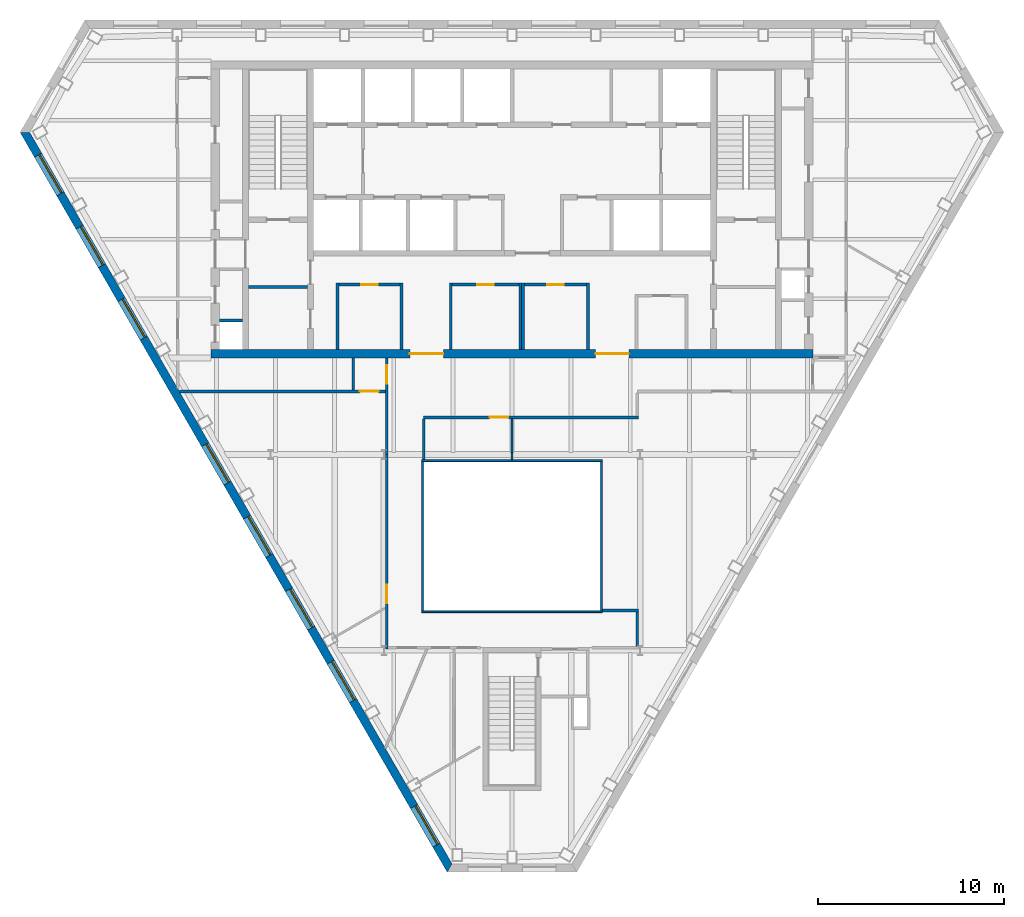
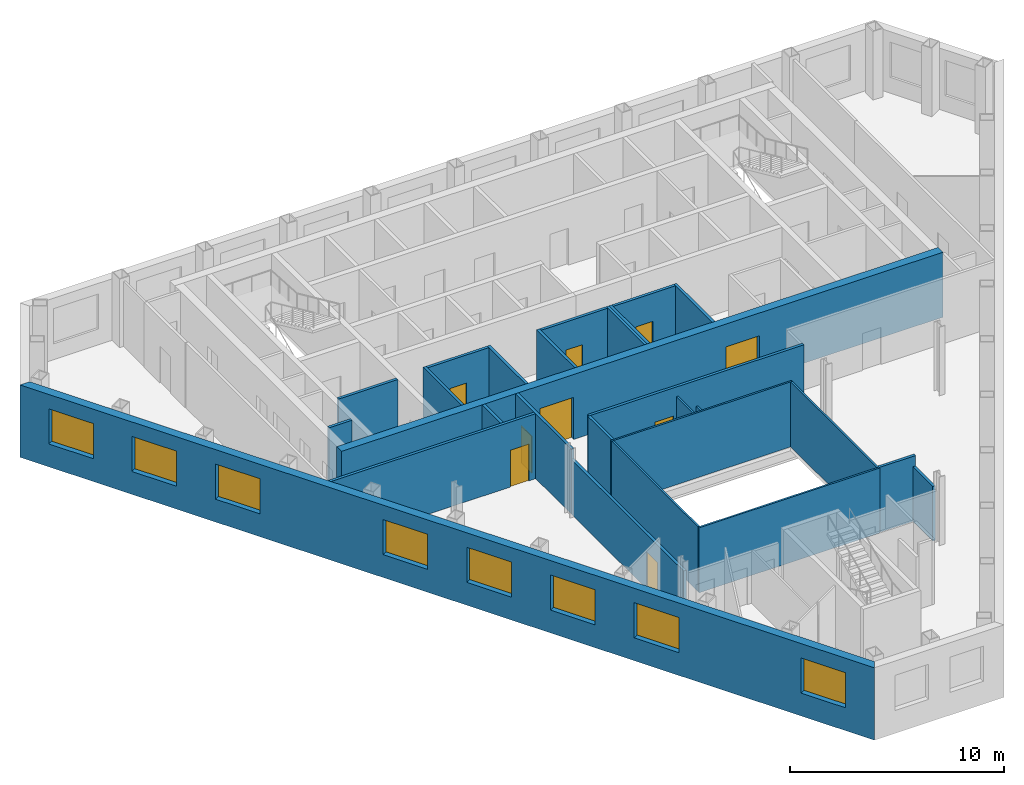
# One storey, part 4 of 11: 27 walls, 9 doors, 8 windows, 17 openings.
"""IFC4 building model written with IfcOpenShell, lengths in metres."""

from ifc_helpers import new_model, si_unit, direction, frame, frame_2d, origin, place, context, subcontext, project, spatial, polyline, rectangle, outline, extrude, material, layer, layer_set, type_object, element, fill, save


model = new_model("IFC4")

# Units and contexts
model_context = context("Model", 3, precision=1e-05, world=origin(), true_north=direction((0.0, 1.0)))
body_context = subcontext(model_context, "Body", "Model", "MODEL_VIEW")
ifc_project = project(units=[si_unit("LENGTHUNIT", "METRE"), si_unit("AREAUNIT", "SQUARE_METRE"), si_unit("VOLUMEUNIT", "CUBIC_METRE"), si_unit("PLANEANGLEUNIT", "RADIAN"), si_unit("MASSUNIT", "GRAM", prefix="KILO")], contexts=[model_context])

# Site, building, storey
site_placement = place(None, origin())
site = spatial("IfcSite", under=ifc_project, at=site_placement, CompositionType="ELEMENT")
building_placement = place(site_placement, origin())
building = spatial("IfcBuilding", under=site, at=building_placement, Name="Njiva Tower", CompositionType="ELEMENT")
storey_placement = place(building_placement, frame((0.0, 0.0, 223.8)))
storey = spatial("IfcBuildingStorey", under=building, at=storey_placement, Name="L50", CompositionType="ELEMENT", Elevation=223.8)

# Walls
ifc_material_1 = material(Name="Blockwork", Category="masonry")
ifc_layer_1 = layer(ifc_material_1, 0.15)
ifc_layer_set_1 = layer_set([ifc_layer_1], Name="Blockwork")
wall_type_1 = type_object("IfcWallType", Name="WT1 Compartment partition 150", PredefinedType="PARTITIONING", material=ifc_layer_set_1)
wall_1_placement = place(storey_placement, frame((-14.2, 5.825, 0.0), z_axis=(0.0, 0.0, 1.0), x_axis=(1.0, 0.0, 0.0)))
element("IfcWall", 1, at=wall_1_placement, inside=storey, type_object=wall_type_1, Name="Room wall A", PredefinedType="PARTITIONING", context=body_context, shape_type="SweptSolid", body=[
    extrude(rectangle(XDim=3.2, YDim=0.15, at=frame_2d((1.6, 0.0))), origin(), (0.0, 0.0, 1.0), 3.7),
])
for number, where, z_axis, x_axis, name in (
    (2, (-9.4, 2.45, 0.0), (0.0, 0.0, 1.0), (0.0, 1.0, 0.0), "Waiting room wall west"),
    (3, (-5.95, 2.45, 0.0), (0.0, 0.0, 1.0), (0.0, 1.0, 0.0), "Waiting room wall east"),
):
    element("IfcWall", number, at=place(storey_placement, frame(where, z_axis=z_axis, x_axis=x_axis)), inside=storey, type_object=wall_type_1, Name=name, PredefinedType="PARTITIONING", context=body_context, shape_type="SweptSolid", body=[
        extrude(rectangle(XDim=3.575, YDim=0.15, at=frame_2d((1.7875, 0.0))), origin(), (0.0, 0.0, 1.0), 3.7),
    ])

# Wall, opening, door
wall_2_placement = place(storey_placement, frame((-9.325, 5.95, 0.0), z_axis=(0.0, 0.0, 1.0), x_axis=(1.0, 0.0, 0.0)))
wall_2 = element("IfcWall", 4, at=wall_2_placement, inside=storey, type_object=wall_type_1, Name="Waiting room wall north", PredefinedType="PARTITIONING", context=body_context, shape_type="SweptSolid", body=[
    extrude(rectangle(XDim=3.3, YDim=0.15, at=frame_2d((1.65, 0.0))), origin(), (0.0, 0.0, 1.0), 3.7),
])
opening_1_placement = place(wall_2_placement, frame((1.2, 0.0, 0.0)))
opening_1 = element("IfcOpeningElement", 5, at=opening_1_placement, cuts=wall_2, Name="Opening S16-D933", PredefinedType="OPENING", context=body_context, shape_type="SweptSolid", body=[
    extrude(rectangle(XDim=0.9, YDim=2.1, at=frame_2d((0.45, 1.05))), frame((0.0, 0.085, 0.0), z_axis=(0.0, -1.0, 0.0), x_axis=(1.0, 0.0, 0.0)), (0.0, 0.0, 1.0), 0.17),
])
ifc_material_2 = material(Name="Steel fire door, painted", Category="steel")
door_type_1 = type_object("IfcDoorType", Name="D6 Fire-rated door 900x2100", OperationType="SINGLE_SWING_LEFT", PredefinedType="DOOR", material=ifc_material_2)
door_1_placement = place(opening_1_placement, origin())
door_1 = element("IfcDoor", 6, at=door_1_placement, inside=storey, type_object=door_type_1, Name="Waiting room door", OperationType="SINGLE_SWING_RIGHT", OverallHeight=2.1, OverallWidth=0.9, PredefinedType="DOOR", context=body_context, shape_type="SweptSolid", body=[
    extrude(rectangle(XDim=0.9, YDim=2.1, at=frame_2d((0.45, 1.05))), frame((0.0, 0.025, 0.0), z_axis=(0.0, -1.0, 0.0), x_axis=(1.0, 0.0, 0.0)), (0.0, 0.0, 1.0), 0.05),
])
fill(opening_1, door_1)

# Walls
for number, where, z_axis, x_axis, name in (
    (7, (-3.3, 2.45, 0.0), (0.0, 0.0, 1.0), (0.0, 1.0, 0.0), "First aid room wall west"),
    (8, (0.45, 2.45, 0.0), (0.0, 0.0, 1.0), (0.0, 1.0, 0.0), "First aid room wall east"),
):
    element("IfcWall", number, at=place(storey_placement, frame(where, z_axis=z_axis, x_axis=x_axis)), inside=storey, type_object=wall_type_1, Name=name, PredefinedType="PARTITIONING", context=body_context, shape_type="SweptSolid", body=[
        extrude(rectangle(XDim=3.575, YDim=0.15, at=frame_2d((1.7875, 0.0))), origin(), (0.0, 0.0, 1.0), 3.7),
    ])

# Wall, opening, door
wall_3_placement = place(storey_placement, frame((-3.225, 5.95, 0.0), z_axis=(0.0, 0.0, 1.0), x_axis=(1.0, 0.0, 0.0)))
wall_3 = element("IfcWall", 9, at=wall_3_placement, inside=storey, type_object=wall_type_1, Name="First aid room wall north", PredefinedType="PARTITIONING", context=body_context, shape_type="SweptSolid", body=[
    extrude(rectangle(XDim=3.6, YDim=0.15, at=frame_2d((1.8, 0.0))), origin(), (0.0, 0.0, 1.0), 3.7),
])
opening_2_placement = place(wall_3_placement, frame((1.35, 0.0, 0.0)))
opening_2 = element("IfcOpeningElement", 10, at=opening_2_placement, cuts=wall_3, Name="Opening S16-D934", PredefinedType="OPENING", context=body_context, shape_type="SweptSolid", body=[
    extrude(rectangle(XDim=0.9, YDim=2.1, at=frame_2d((0.45, 1.05))), frame((0.0, 0.085, 0.0), z_axis=(0.0, -1.0, 0.0), x_axis=(1.0, 0.0, 0.0)), (0.0, 0.0, 1.0), 0.17),
])
door_2_placement = place(opening_2_placement, origin())
door_2 = element("IfcDoor", 11, at=door_2_placement, inside=storey, type_object=door_type_1, Name="First aid room door", OperationType="SINGLE_SWING_LEFT", OverallHeight=2.1, OverallWidth=0.9, PredefinedType="DOOR", context=body_context, shape_type="SweptSolid", body=[
    extrude(rectangle(XDim=0.9, YDim=2.1, at=frame_2d((0.45, 1.05))), frame((0.0, 0.025, 0.0), z_axis=(0.0, -1.0, 0.0), x_axis=(1.0, 0.0, 0.0)), (0.0, 0.0, 1.0), 0.05),
])
fill(opening_2, door_2)

# Walls
for number, where, z_axis, x_axis, name in (
    (12, (0.6, 2.45, 0.0), (0.0, 0.0, 1.0), (0.0, 1.0, 0.0), "Parcel room wall west"),
    (13, (4.1, 2.45, 0.0), (0.0, 0.0, 1.0), (0.0, 1.0, 0.0), "Parcel room wall east"),
):
    element("IfcWall", number, at=place(storey_placement, frame(where, z_axis=z_axis, x_axis=x_axis)), inside=storey, type_object=wall_type_1, Name=name, PredefinedType="PARTITIONING", context=body_context, shape_type="SweptSolid", body=[
        extrude(rectangle(XDim=3.575, YDim=0.15, at=frame_2d((1.7875, 0.0))), origin(), (0.0, 0.0, 1.0), 3.7),
    ])

# Wall, opening, door
wall_4_placement = place(storey_placement, frame((0.675, 5.95, 0.0), z_axis=(0.0, 0.0, 1.0), x_axis=(1.0, 0.0, 0.0)))
wall_4 = element("IfcWall", 14, at=wall_4_placement, inside=storey, type_object=wall_type_1, Name="Parcel room wall north", PredefinedType="PARTITIONING", context=body_context, shape_type="SweptSolid", body=[
    extrude(rectangle(XDim=3.35, YDim=0.15, at=frame_2d((1.675, 0.0))), origin(), (0.0, 0.0, 1.0), 3.7),
])
opening_3_placement = place(wall_4_placement, frame((1.225, 0.0, 0.0)))
opening_3 = element("IfcOpeningElement", 15, at=opening_3_placement, cuts=wall_4, Name="Opening S16-D935", PredefinedType="OPENING", context=body_context, shape_type="SweptSolid", body=[
    extrude(rectangle(XDim=0.9, YDim=2.1, at=frame_2d((0.45, 1.05))), frame((0.0, 0.085, 0.0), z_axis=(0.0, -1.0, 0.0), x_axis=(1.0, 0.0, 0.0)), (0.0, 0.0, 1.0), 0.17),
])
door_3_placement = place(opening_3_placement, origin())
door_3 = element("IfcDoor", 16, at=door_3_placement, inside=storey, type_object=door_type_1, Name="Parcel room door", OperationType="SINGLE_SWING_LEFT", OverallHeight=2.1, OverallWidth=0.9, PredefinedType="DOOR", context=body_context, shape_type="SweptSolid", body=[
    extrude(rectangle(XDim=0.9, YDim=2.1, at=frame_2d((0.45, 1.05))), frame((0.0, 0.025, 0.0), z_axis=(0.0, -1.0, 0.0), x_axis=(1.0, 0.0, 0.0)), (0.0, 0.0, 1.0), 0.05),
])
fill(opening_3, door_3)

# Wall, openings, doors
ifc_material_3 = material(Name="Concrete C60/75", Category="concrete")
ifc_layer_2 = layer(ifc_material_3, 0.45)
ifc_layer_set_2 = layer_set([ifc_layer_2], Name="Concrete C60/75")
wall_type_2 = type_object("IfcWallType", Name="WT12 Core wall 450", PredefinedType="SHEAR", material=ifc_layer_set_2)
wall_5_placement = place(storey_placement, frame((-16.2, 2.225, 0.0), z_axis=(0.0, 0.0, 1.0), x_axis=(1.0, 0.0, 0.0)))
wall_5 = element("IfcWall", 17, at=wall_5_placement, inside=storey, type_object=wall_type_2, Name="Core wall south", PredefinedType="SHEAR", context=body_context, shape_type="SweptSolid", body=[
    extrude(rectangle(XDim=32.4, YDim=0.45, at=frame_2d((16.2, 0.0))), origin(), (0.0, 0.0, 1.0), 3.7),
])
opening_4_placement = place(wall_5_placement, frame((10.7, 0.0, 0.0)))
opening_4 = element("IfcOpeningElement", 18, at=opening_4_placement, cuts=wall_5, Name="Opening S16-D938", PredefinedType="OPENING", context=body_context, shape_type="SweptSolid", body=[
    extrude(rectangle(XDim=1.8, YDim=2.4, at=frame_2d((0.9, 1.2))), frame((0.0, 0.235, 0.0), z_axis=(0.0, -1.0, 0.0), x_axis=(1.0, 0.0, 0.0)), (0.0, 0.0, 1.0), 0.47),
])
opening_5_placement = place(wall_5_placement, frame((20.7, 0.0, 0.0)))
opening_5 = element("IfcOpeningElement", 19, at=opening_5_placement, cuts=wall_5, Name="Opening S16-D939", PredefinedType="OPENING", context=body_context, shape_type="SweptSolid", body=[
    extrude(rectangle(XDim=1.8, YDim=2.4, at=frame_2d((0.9, 1.2))), frame((0.0, 0.235, 0.0), z_axis=(0.0, -1.0, 0.0), x_axis=(1.0, 0.0, 0.0)), (0.0, 0.0, 1.0), 0.47),
])
ifc_material_4 = material(Name="Steel and glass door", Category="steel")
door_type_2 = type_object("IfcDoorType", Name="D3 Core entrance door 1800x2400", OperationType="DOUBLE_DOOR_SINGLE_SWING", PredefinedType="DOOR", material=ifc_material_4)
door_4_placement = place(opening_4_placement, origin())
door_4 = element("IfcDoor", 20, at=door_4_placement, inside=storey, type_object=door_type_2, Name="Core entrance door", OperationType="DOUBLE_DOOR_SINGLE_SWING", OverallHeight=2.4, OverallWidth=1.8, PredefinedType="DOOR", context=body_context, shape_type="SweptSolid", body=[
    extrude(rectangle(XDim=1.8, YDim=2.4, at=frame_2d((0.9, 1.2))), frame((0.0, 0.025, 0.0), z_axis=(0.0, -1.0, 0.0), x_axis=(1.0, 0.0, 0.0)), (0.0, 0.0, 1.0), 0.05),
])
fill(opening_4, door_4)
door_5_placement = place(opening_5_placement, origin())
door_5 = element("IfcDoor", 21, at=door_5_placement, inside=storey, type_object=door_type_2, Name="Core entrance door", OperationType="DOUBLE_DOOR_SINGLE_SWING", OverallHeight=2.4, OverallWidth=1.8, PredefinedType="DOOR", context=body_context, shape_type="SweptSolid", body=[
    extrude(rectangle(XDim=1.8, YDim=2.4, at=frame_2d((0.9, 1.2))), frame((0.0, 0.025, 0.0), z_axis=(0.0, -1.0, 0.0), x_axis=(1.0, 0.0, 0.0)), (0.0, 0.0, 1.0), 0.05),
])
fill(opening_5, door_5)

# Walls
ifc_material_5 = material(Name="Gypsum board on steel studs", Category="gypsum")
ifc_layer_3 = layer(ifc_material_5, 0.1)
ifc_layer_set_3 = layer_set([ifc_layer_3], Name="Gypsum board on steel studs")
wall_type_3 = type_object("IfcWallType", Name="WT20 Gypsum partition 100", PredefinedType="PARTITIONING", material=ifc_layer_set_3)
wall_6_placement = place(storey_placement, frame((-0.001, -1.275, 0.0), z_axis=(0.0, 0.0, 1.0), x_axis=(0.000438356122, -0.999999903922, 0.0)))
element("IfcWall", 22, at=wall_6_placement, inside=storey, type_object=wall_type_3, Name="Partition S16-P016", PredefinedType="PARTITIONING", context=body_context, shape_type="SweptSolid", body=[
    extrude(rectangle(XDim=1.825, YDim=0.1, at=frame_2d((0.9125, 0.0))), origin(), (0.0, 0.0, 1.0), 3.15),
])
wall_7_placement = place(storey_placement, frame((-0.0002, -3.1, 0.0), z_axis=(0.0, 0.0, 1.0), x_axis=(0.000526315717, -0.999999861496, 0.0)))
element("IfcWall", 23, at=wall_7_placement, inside=storey, type_object=wall_type_3, Name="Partition S16-P016A", PredefinedType="PARTITIONING", context=body_context, shape_type="SweptSolid", body=[
    extrude(rectangle(XDim=0.38, YDim=0.1, at=frame_2d((0.19, 0.0))), origin(), (0.0, 0.0, 1.0), 3.7),
])

# Wall, opening, door
ifc_layer_4 = layer(ifc_material_5, 0.15)
ifc_layer_set_4 = layer_set([ifc_layer_4], Name="Gypsum board on steel studs")
wall_type_4 = type_object("IfcWallType", Name="WT21 Compartment wall 150", PredefinedType="PARTITIONING", material=ifc_layer_set_4)
wall_8_placement = place(storey_placement, frame((-17.918, 0.2, 0.0), z_axis=(0.0, 0.0, 1.0), x_axis=(0.999999995937, 9.0146939e-05, 0.0)))
wall_8 = element("IfcWall", 24, at=wall_8_placement, inside=storey, type_object=wall_type_4, Name="Partition S16-P005", PredefinedType="PARTITIONING", context=body_context, shape_type="SweptSolid", body=[
    extrude(rectangle(XDim=11.093, YDim=0.15, at=frame_2d((5.5465, 0.0))), origin(), (0.0, 0.0, 1.0), 3.7),
])
opening_6_placement = place(wall_8_placement, frame((9.73, 0.0, 0.0)))
opening_6 = element("IfcOpeningElement", 25, at=opening_6_placement, cuts=wall_8, Name="Opening S16-D004", PredefinedType="OPENING", context=body_context, shape_type="SweptSolid", body=[
    extrude(rectangle(XDim=1.0, YDim=2.1, at=frame_2d((0.5, 1.05))), frame((0.0, 0.085, 0.0), z_axis=(0.0, -1.0, 0.0), x_axis=(1.0, 0.0, 0.0)), (0.0, 0.0, 1.0), 0.17),
])
ifc_material_6 = material(Name="Steel fire door set", Category="steel")
door_type_3 = type_object("IfcDoorType", Name="D37 Fire door 1000x2100", OperationType="SINGLE_SWING_LEFT", PredefinedType="DOOR", material=ifc_material_6)
door_6_placement = place(opening_6_placement, origin())
door_6 = element("IfcDoor", 26, at=door_6_placement, inside=storey, type_object=door_type_3, Name="Door S16-D004", OperationType="SINGLE_SWING_RIGHT", OverallHeight=2.1, OverallWidth=1.0, PredefinedType="DOOR", context=body_context, shape_type="SweptSolid", body=[
    extrude(rectangle(XDim=1.0, YDim=2.1, at=frame_2d((0.5, 1.05))), frame((0.0, 0.025, 0.0), z_axis=(0.0, -1.0, 0.0), x_axis=(1.0, 0.0, 0.0)), (0.0, 0.0, 1.0), 0.05),
])
fill(opening_6, door_6)

# Wall
wall_9_placement = place(storey_placement, frame((-8.55, 0.276, 0.0), z_axis=(0.0, 0.0, 1.0), x_axis=(0.0, 1.0, 0.0)))
element("IfcWall", 27, at=wall_9_placement, inside=storey, type_object=wall_type_4, Name="Partition S16-P007", PredefinedType="PARTITIONING", context=body_context, shape_type="SweptSolid", body=[
    extrude(rectangle(XDim=1.723, YDim=0.15, at=frame_2d((0.8615, 0.0))), origin(), (0.0, 0.0, 1.0), 3.7),
])

# Wall, opening, door
wall_10_placement = place(storey_placement, frame((-6.75, -13.675, 0.0), z_axis=(0.0, 0.0, 1.0), x_axis=(0.0, 1.0, 0.0)))
wall_10 = element("IfcWall", 28, at=wall_10_placement, inside=storey, type_object=wall_type_4, Name="Partition S16-P009", PredefinedType="PARTITIONING", context=body_context, shape_type="SweptSolid", body=[
    extrude(rectangle(XDim=10.475, YDim=0.15, at=frame_2d((5.2375, 0.0))), origin(), (0.0, 0.0, 1.0), 3.11),
])
opening_7_placement = place(wall_10_placement, frame((2.455, 0.0, 0.0)))
opening_7 = element("IfcOpeningElement", 29, at=opening_7_placement, cuts=wall_10, Name="Opening S16-D005", PredefinedType="OPENING", context=body_context, shape_type="SweptSolid", body=[
    extrude(rectangle(XDim=1.0, YDim=2.1, at=frame_2d((0.5, 1.05))), frame((0.0, 0.085, 0.0), z_axis=(0.0, -1.0, 0.0), x_axis=(1.0, 0.0, 0.0)), (0.0, 0.0, 1.0), 0.17),
])
door_7_placement = place(opening_7_placement, origin())
door_7 = element("IfcDoor", 30, at=door_7_placement, inside=storey, type_object=door_type_3, Name="Door S16-D005", OperationType="SINGLE_SWING_RIGHT", OverallHeight=2.1, OverallWidth=1.0, PredefinedType="DOOR", context=body_context, shape_type="SweptSolid", body=[
    extrude(rectangle(XDim=1.0, YDim=2.1, at=frame_2d((0.5, 1.05))), frame((0.0, 0.025, 0.0), z_axis=(0.0, -1.0, 0.0), x_axis=(1.0, 0.0, 0.0)), (0.0, 0.0, 1.0), 0.05),
])
fill(opening_7, door_7)

wall_11_placement = place(storey_placement, frame((-6.75, -3.2, 0.0), z_axis=(0.0, 0.0, 1.0), x_axis=(0.0, 1.0, 0.0)))
wall_11 = element("IfcWall", 31, at=wall_11_placement, inside=storey, type_object=wall_type_4, Name="Partition S16-P009A", PredefinedType="PARTITIONING", context=body_context, shape_type="SweptSolid", body=[
    extrude(rectangle(XDim=5.2, YDim=0.15, at=frame_2d((2.6, 0.0))), origin(), (0.0, 0.0, 1.0), 3.7),
])
opening_8_placement = place(wall_11_placement, frame((3.8, 0.0, 0.0)))
opening_8 = element("IfcOpeningElement", 32, at=opening_8_placement, cuts=wall_11, Name="Opening S16-D006", PredefinedType="OPENING", context=body_context, shape_type="SweptSolid", body=[
    extrude(rectangle(XDim=1.0, YDim=2.1, at=frame_2d((0.5, 1.05))), frame((0.0, 0.085, 0.0), z_axis=(0.0, -1.0, 0.0), x_axis=(1.0, 0.0, 0.0)), (0.0, 0.0, 1.0), 0.17),
])
door_8_placement = place(opening_8_placement, origin())
door_8 = element("IfcDoor", 33, at=door_8_placement, inside=storey, type_object=door_type_3, Name="Door S16-D006", OperationType="SINGLE_SWING_LEFT", OverallHeight=2.1, OverallWidth=1.0, PredefinedType="DOOR", context=body_context, shape_type="SweptSolid", body=[
    extrude(rectangle(XDim=1.0, YDim=2.1, at=frame_2d((0.5, 1.05))), frame((0.0, 0.025, 0.0), z_axis=(0.0, -1.0, 0.0), x_axis=(1.0, 0.0, 0.0)), (0.0, 0.0, 1.0), 0.05),
])
fill(opening_8, door_8)

wall_12_placement = place(storey_placement, frame((-4.762, -1.2, 0.0), z_axis=(0.0, 0.0, 1.0), x_axis=(1.0, 0.0, 0.0)))
wall_12 = element("IfcWall", 34, at=wall_12_placement, inside=storey, type_object=wall_type_4, Name="Partition S16-P012", PredefinedType="PARTITIONING", context=body_context, shape_type="SweptSolid", body=[
    extrude(rectangle(XDim=11.587, YDim=0.15, at=frame_2d((5.7935, 0.0))), origin(), (0.0, 0.0, 1.0), 3.7),
])
opening_9_placement = place(wall_12_placement, frame((3.561, 0.0, 0.0)))
opening_9 = element("IfcOpeningElement", 35, at=opening_9_placement, cuts=wall_12, Name="Opening S16-D010", PredefinedType="OPENING", context=body_context, shape_type="SweptSolid", body=[
    extrude(rectangle(XDim=1.0, YDim=2.1, at=frame_2d((0.5, 1.05))), frame((0.0, 0.085, 0.0), z_axis=(0.0, -1.0, 0.0), x_axis=(1.0, 0.0, 0.0)), (0.0, 0.0, 1.0), 0.17),
])
door_9_placement = place(opening_9_placement, origin())
door_9 = element("IfcDoor", 36, at=door_9_placement, inside=storey, type_object=door_type_3, Name="Door S16-D010", OperationType="SINGLE_SWING_LEFT", OverallHeight=2.1, OverallWidth=1.0, PredefinedType="DOOR", context=body_context, shape_type="SweptSolid", body=[
    extrude(rectangle(XDim=1.0, YDim=2.1, at=frame_2d((0.5, 1.05))), frame((0.0, 0.025, 0.0), z_axis=(0.0, -1.0, 0.0), x_axis=(1.0, 0.0, 0.0)), (0.0, 0.0, 1.0), 0.05),
])
fill(opening_9, door_9)

# Walls
wall_13_placement = place(storey_placement, frame((-4.75, -1.275, 0.0), z_axis=(0.0, 0.0, 1.0), x_axis=(0.000453514693, -0.999999897162, 0.0)))
element("IfcWall", 37, at=wall_13_placement, inside=storey, type_object=wall_type_4, Name="Partition S16-P013", PredefinedType="PARTITIONING", context=body_context, shape_type="SweptSolid", body=[
    extrude(rectangle(XDim=2.205, YDim=0.15, at=frame_2d((1.1025, 0.0))), origin(), (0.0, 0.0, 1.0), 3.7),
])
wall_14_placement = place(storey_placement, frame((4.87, -11.6, 0.0), z_axis=(0.0, 0.0, 1.0), x_axis=(1.0, 0.0, 0.0)))
element("IfcWall", 38, at=wall_14_placement, inside=storey, type_object=wall_type_4, Name="Partition S16-P018", PredefinedType="PARTITIONING", context=body_context, shape_type="SweptSolid", body=[
    extrude(rectangle(XDim=1.955, YDim=0.15, at=frame_2d((0.9775, 0.0))), origin(), (0.0, 0.0, 1.0), 3.7),
])
wall_15_placement = place(storey_placement, frame((6.75, -13.525, 0.0), z_axis=(0.0, 0.0, 1.0), x_axis=(0.0, 1.0, 0.0)))
element("IfcWall", 39, at=wall_15_placement, inside=storey, type_object=wall_type_4, Name="Partition S16-P019", PredefinedType="PARTITIONING", context=body_context, shape_type="SweptSolid", body=[
    extrude(rectangle(XDim=1.85, YDim=0.15, at=frame_2d((0.925, 0.0))), origin(), (0.0, 0.0, 1.0), 3.11),
])
ifc_layer_5 = layer(ifc_material_1, 0.15)
ifc_layer_set_5 = layer_set([ifc_layer_5], Name="Blockwork")
wall_type_5 = type_object("IfcWallType", Name="WT3 Riser partition 150", PredefinedType="PARTITIONING", material=ifc_layer_set_5)
wall_16_placement = place(storey_placement, frame((-15.75, 4.025, 0.0), z_axis=(0.0, 0.0, 1.0), x_axis=(1.0, 0.0, 0.0)))
element("IfcWall", 40, at=wall_16_placement, inside=storey, type_object=wall_type_5, Name="Partition strip W00", PredefinedType="PARTITIONING", context=body_context, shape_type="SweptSolid", body=[
    extrude(rectangle(XDim=1.25, YDim=0.15, at=frame_2d((0.625, 0.0))), origin(), (0.0, 0.0, 1.0), 3.7),
])

# Wall, openings, windows
ifc_material_7 = material(Name="Brick masonry", Category="masonry")
ifc_layer_6 = layer(ifc_material_7, 0.45)
ifc_layer_set_6 = layer_set([ifc_layer_6], Name="Brick masonry")
wall_type_6 = type_object("IfcWallType", Name="WT90 Brick pier and spandrel wall 450", PredefinedType="SOLIDWALL", material=ifc_layer_set_6)
wall_17_placement = place(storey_placement, frame((-26.2352, 14.1551, -0.4), z_axis=(0.0, 0.0, 1.0), x_axis=(0.500000335318, -0.866025210188, 0.0)))
wall_17 = element("IfcWall", 41, at=wall_17_placement, inside=storey, type_object=wall_type_6, Name="Facade wall SW", PredefinedType="SOLIDWALL", context=body_context, shape_type="SweptSolid", body=[
    extrude(outline(polyline([(-0.1299, -0.225), (45.8801, -0.225), (45.6203, 0.225), (0.1299, 0.225), (-0.1299, -0.225)])), origin(), (0.0, 0.0, 1.0), 4.12),
])
opening_10_placement = place(wall_17_placement, frame((1.4247, 0.0, 1.3)))
opening_10 = element("IfcOpeningElement", 42, at=opening_10_placement, cuts=wall_17, Name="Opening S16-W12", PredefinedType="OPENING", context=body_context, shape_type="SweptSolid", body=[
    extrude(rectangle(XDim=2.4, YDim=2.0, at=frame_2d((1.2, 1.0))), frame((0.0, 0.235, 0.0), z_axis=(0.0, -1.0, 0.0), x_axis=(1.0, 0.0, 0.0)), (0.0, 0.0, 1.0), 0.47),
])
opening_11_placement = place(wall_17_placement, frame((5.8949, 0.0, 1.3)))
opening_11 = element("IfcOpeningElement", 43, at=opening_11_placement, cuts=wall_17, Name="Opening S16-W13", PredefinedType="OPENING", context=body_context, shape_type="SweptSolid", body=[
    extrude(rectangle(XDim=2.4, YDim=2.0, at=frame_2d((1.2, 1.0))), frame((0.0, 0.235, 0.0), z_axis=(0.0, -1.0, 0.0), x_axis=(1.0, 0.0, 0.0)), (0.0, 0.0, 1.0), 0.47),
])
opening_12_placement = place(wall_17_placement, frame((10.4035, 0.0, 1.3)))
opening_12 = element("IfcOpeningElement", 44, at=opening_12_placement, cuts=wall_17, Name="Opening S16-W14", PredefinedType="OPENING", context=body_context, shape_type="SweptSolid", body=[
    extrude(rectangle(XDim=2.4, YDim=2.0, at=frame_2d((1.2, 1.0))), frame((0.0, 0.235, 0.0), z_axis=(0.0, -1.0, 0.0), x_axis=(1.0, 0.0, 0.0)), (0.0, 0.0, 1.0), 0.47),
])
opening_13_placement = place(wall_17_placement, frame((19.4208, 0.0, 1.3)))
opening_13 = element("IfcOpeningElement", 45, at=opening_13_placement, cuts=wall_17, Name="Opening S16-W15", PredefinedType="OPENING", context=body_context, shape_type="SweptSolid", body=[
    extrude(rectangle(XDim=2.4, YDim=2.0, at=frame_2d((1.2, 1.0))), frame((0.0, 0.235, 0.0), z_axis=(0.0, -1.0, 0.0), x_axis=(1.0, 0.0, 0.0)), (0.0, 0.0, 1.0), 0.47),
])
opening_14_placement = place(wall_17_placement, frame((23.9294, 0.0, 1.3)))
opening_14 = element("IfcOpeningElement", 46, at=opening_14_placement, cuts=wall_17, Name="Opening S16-W16", PredefinedType="OPENING", context=body_context, shape_type="SweptSolid", body=[
    extrude(rectangle(XDim=2.4, YDim=2.0, at=frame_2d((1.2, 1.0))), frame((0.0, 0.235, 0.0), z_axis=(0.0, -1.0, 0.0), x_axis=(1.0, 0.0, 0.0)), (0.0, 0.0, 1.0), 0.47),
])
opening_15_placement = place(wall_17_placement, frame((28.438, 0.0, 1.3)))
opening_15 = element("IfcOpeningElement", 47, at=opening_15_placement, cuts=wall_17, Name="Opening S16-W17", PredefinedType="OPENING", context=body_context, shape_type="SweptSolid", body=[
    extrude(rectangle(XDim=2.4, YDim=2.0, at=frame_2d((1.2, 1.0))), frame((0.0, 0.235, 0.0), z_axis=(0.0, -1.0, 0.0), x_axis=(1.0, 0.0, 0.0)), (0.0, 0.0, 1.0), 0.47),
])
opening_16_placement = place(wall_17_placement, frame((32.9466, 0.0, 1.3)))
opening_16 = element("IfcOpeningElement", 48, at=opening_16_placement, cuts=wall_17, Name="Opening S16-W18", PredefinedType="OPENING", context=body_context, shape_type="SweptSolid", body=[
    extrude(rectangle(XDim=2.4, YDim=2.0, at=frame_2d((1.2, 1.0))), frame((0.0, 0.235, 0.0), z_axis=(0.0, -1.0, 0.0), x_axis=(1.0, 0.0, 0.0)), (0.0, 0.0, 1.0), 0.47),
])
opening_17_placement = place(wall_17_placement, frame((41.9255, 0.0, 1.3)))
opening_17 = element("IfcOpeningElement", 49, at=opening_17_placement, cuts=wall_17, Name="Opening S16-W19", PredefinedType="OPENING", context=body_context, shape_type="SweptSolid", body=[
    extrude(rectangle(XDim=2.4, YDim=2.0, at=frame_2d((1.2, 1.0))), frame((0.0, 0.235, 0.0), z_axis=(0.0, -1.0, 0.0), x_axis=(1.0, 0.0, 0.0)), (0.0, 0.0, 1.0), 0.47),
])
ifc_material_8 = material(Name="Clear glazing in aluminium frame", Category="aluminium")
window_type = type_object("IfcWindowType", Name="W90 Deep-set window 2400x2000", PartitioningType="SINGLE_PANEL", PredefinedType="WINDOW", material=ifc_material_8)
window_1_placement = place(opening_10_placement, origin())
window_1 = element("IfcWindow", 50, at=window_1_placement, inside=storey, type_object=window_type, Name="Window", OverallHeight=2.0, OverallWidth=2.4, PartitioningType="SINGLE_PANEL", PredefinedType="WINDOW", context=body_context, shape_type="SweptSolid", body=[
    extrude(rectangle(XDim=2.4, YDim=2.0, at=frame_2d((1.2, 1.0))), frame((0.0, 0.105, 0.0), z_axis=(0.0, -1.0, 0.0), x_axis=(1.0, 0.0, 0.0)), (0.0, 0.0, 1.0), 0.06),
])
fill(opening_10, window_1)
window_2_placement = place(opening_11_placement, origin())
window_2 = element("IfcWindow", 51, at=window_2_placement, inside=storey, type_object=window_type, Name="Window", OverallHeight=2.0, OverallWidth=2.4, PartitioningType="SINGLE_PANEL", PredefinedType="WINDOW", context=body_context, shape_type="SweptSolid", body=[
    extrude(rectangle(XDim=2.4, YDim=2.0, at=frame_2d((1.2, 1.0))), frame((0.0, 0.105, 0.0), z_axis=(0.0, -1.0, 0.0), x_axis=(1.0, 0.0, 0.0)), (0.0, 0.0, 1.0), 0.06),
])
fill(opening_11, window_2)
window_3_placement = place(opening_12_placement, origin())
window_3 = element("IfcWindow", 52, at=window_3_placement, inside=storey, type_object=window_type, Name="Window", OverallHeight=2.0, OverallWidth=2.4, PartitioningType="SINGLE_PANEL", PredefinedType="WINDOW", context=body_context, shape_type="SweptSolid", body=[
    extrude(rectangle(XDim=2.4, YDim=2.0, at=frame_2d((1.2, 1.0))), frame((0.0, 0.105, 0.0), z_axis=(0.0, -1.0, 0.0), x_axis=(1.0, 0.0, 0.0)), (0.0, 0.0, 1.0), 0.06),
])
fill(opening_12, window_3)
window_4_placement = place(opening_13_placement, origin())
window_4 = element("IfcWindow", 53, at=window_4_placement, inside=storey, type_object=window_type, Name="Window", OverallHeight=2.0, OverallWidth=2.4, PartitioningType="SINGLE_PANEL", PredefinedType="WINDOW", context=body_context, shape_type="SweptSolid", body=[
    extrude(rectangle(XDim=2.4, YDim=2.0, at=frame_2d((1.2, 1.0))), frame((0.0, 0.105, 0.0), z_axis=(0.0, -1.0, 0.0), x_axis=(1.0, 0.0, 0.0)), (0.0, 0.0, 1.0), 0.06),
])
fill(opening_13, window_4)
window_5_placement = place(opening_14_placement, origin())
window_5 = element("IfcWindow", 54, at=window_5_placement, inside=storey, type_object=window_type, Name="Window", OverallHeight=2.0, OverallWidth=2.4, PartitioningType="SINGLE_PANEL", PredefinedType="WINDOW", context=body_context, shape_type="SweptSolid", body=[
    extrude(rectangle(XDim=2.4, YDim=2.0, at=frame_2d((1.2, 1.0))), frame((0.0, 0.105, 0.0), z_axis=(0.0, -1.0, 0.0), x_axis=(1.0, 0.0, 0.0)), (0.0, 0.0, 1.0), 0.06),
])
fill(opening_14, window_5)
window_6_placement = place(opening_15_placement, origin())
window_6 = element("IfcWindow", 55, at=window_6_placement, inside=storey, type_object=window_type, Name="Window", OverallHeight=2.0, OverallWidth=2.4, PartitioningType="SINGLE_PANEL", PredefinedType="WINDOW", context=body_context, shape_type="SweptSolid", body=[
    extrude(rectangle(XDim=2.4, YDim=2.0, at=frame_2d((1.2, 1.0))), frame((0.0, 0.105, 0.0), z_axis=(0.0, -1.0, 0.0), x_axis=(1.0, 0.0, 0.0)), (0.0, 0.0, 1.0), 0.06),
])
fill(opening_15, window_6)
window_7_placement = place(opening_16_placement, origin())
window_7 = element("IfcWindow", 56, at=window_7_placement, inside=storey, type_object=window_type, Name="Window", OverallHeight=2.0, OverallWidth=2.4, PartitioningType="SINGLE_PANEL", PredefinedType="WINDOW", context=body_context, shape_type="SweptSolid", body=[
    extrude(rectangle(XDim=2.4, YDim=2.0, at=frame_2d((1.2, 1.0))), frame((0.0, 0.105, 0.0), z_axis=(0.0, -1.0, 0.0), x_axis=(1.0, 0.0, 0.0)), (0.0, 0.0, 1.0), 0.06),
])
fill(opening_16, window_7)
window_8_placement = place(opening_17_placement, origin())
window_8 = element("IfcWindow", 57, at=window_8_placement, inside=storey, type_object=window_type, Name="Window", OverallHeight=2.0, OverallWidth=2.4, PartitioningType="SINGLE_PANEL", PredefinedType="WINDOW", context=body_context, shape_type="SweptSolid", body=[
    extrude(rectangle(XDim=2.4, YDim=2.0, at=frame_2d((1.2, 1.0))), frame((0.0, 0.105, 0.0), z_axis=(0.0, -1.0, 0.0), x_axis=(1.0, 0.0, 0.0)), (0.0, 0.0, 1.0), 0.06),
])
fill(opening_17, window_8)

# Walls
ifc_material_9 = material(Name="Fire-resisting glazing EI 90", Category="glass")
ifc_layer_7 = layer(ifc_material_9, 0.1)
ifc_layer_set_7 = layer_set([ifc_layer_7], Name="Fire-resisting glazing EI 90")
wall_type_7 = type_object("IfcWallType", Name="WT95 Fire-resisting glazed screen EI 90", PredefinedType="PARTITIONING", material=ifc_layer_set_7)
wall_18_placement = place(storey_placement, frame((-4.87, -11.67, 0.0), z_axis=(0.0, 0.0, 1.0), x_axis=(1.0, 0.0, 0.0)))
element("IfcWall", 58, at=wall_18_placement, inside=storey, type_object=wall_type_7, Name="Atrium fire screen south", PredefinedType="PARTITIONING", context=body_context, shape_type="SweptSolid", body=[
    extrude(rectangle(XDim=9.74, YDim=0.1, at=frame_2d((4.87, 0.0))), origin(), (0.0, 0.0, 1.0), 3.7),
])
wall_19_placement = place(storey_placement, frame((4.82, -11.62, 0.0), z_axis=(0.0, 0.0, 1.0), x_axis=(0.0, 1.0, 0.0)))
element("IfcWall", 59, at=wall_19_placement, inside=storey, type_object=wall_type_7, Name="Atrium fire screen east", PredefinedType="PARTITIONING", context=body_context, shape_type="SweptSolid", body=[
    extrude(rectangle(XDim=8.04, YDim=0.1, at=frame_2d((4.02, 0.0))), origin(), (0.0, 0.0, 1.0), 3.7),
])
wall_20_placement = place(storey_placement, frame((4.87, -3.53, 0.0), z_axis=(0.0, 0.0, 1.0), x_axis=(-1.0, 0.0, 0.0)))
element("IfcWall", 60, at=wall_20_placement, inside=storey, type_object=wall_type_7, Name="Atrium fire screen north", PredefinedType="PARTITIONING", context=body_context, shape_type="SweptSolid", body=[
    extrude(rectangle(XDim=9.74, YDim=0.1, at=frame_2d((4.87, 0.0))), origin(), (0.0, 0.0, 1.0), 3.7),
])
wall_21_placement = place(storey_placement, frame((-4.82, -3.58, 0.0), z_axis=(0.0, 0.0, 1.0), x_axis=(0.0, -1.0, 0.0)))
element("IfcWall", 61, at=wall_21_placement, inside=storey, type_object=wall_type_7, Name="Atrium fire screen west", PredefinedType="PARTITIONING", context=body_context, shape_type="SweptSolid", body=[
    extrude(rectangle(XDim=8.04, YDim=0.1, at=frame_2d((4.02, 0.0))), origin(), (0.0, 0.0, 1.0), 3.7),
])

save(model, "model.ifc")
